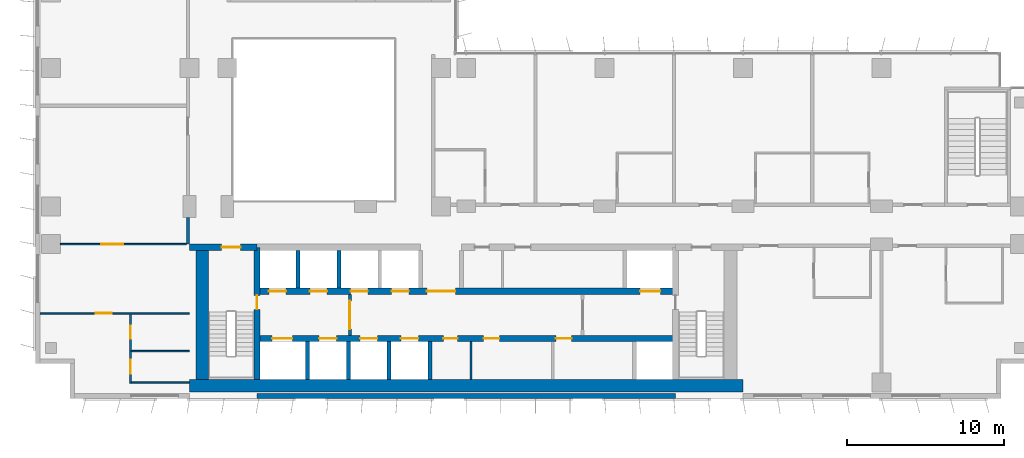
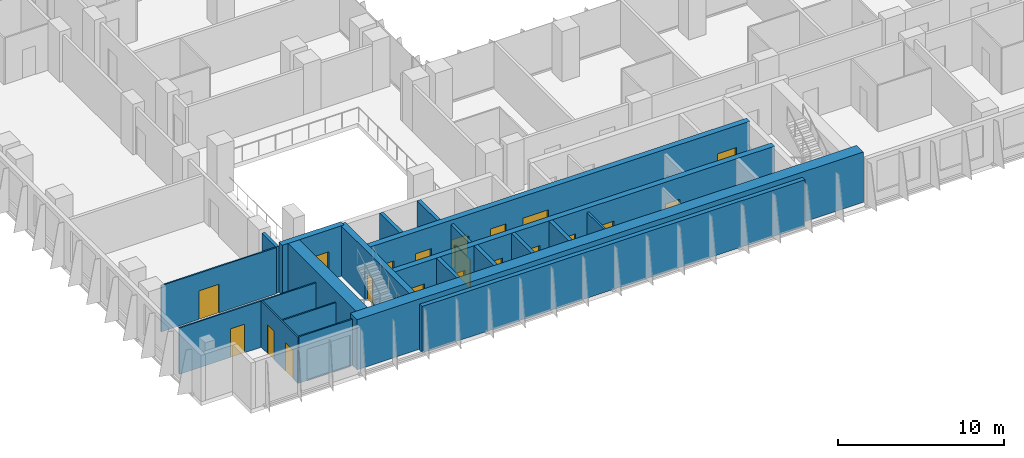
# One storey, part 12 of 22: 21 walls, 20 doors, 20 openings.
"""IFC4 building model written with IfcOpenShell, lengths in metres."""

from ifc_helpers import new_model, si_unit, direction, frame, frame_2d, origin, place, context, subcontext, project, spatial, rectangle, extrude, material, layer, layer_set, type_object, element, fill, save


model = new_model("IFC4")

# Units and contexts
model_context = context("Model", 3, precision=1e-05, world=origin(), true_north=direction((0.0, 1.0)))
body_context = subcontext(model_context, "Body", "Model", "MODEL_VIEW")
ifc_project = project(units=[si_unit("LENGTHUNIT", "METRE"), si_unit("AREAUNIT", "SQUARE_METRE"), si_unit("VOLUMEUNIT", "CUBIC_METRE"), si_unit("PLANEANGLEUNIT", "RADIAN"), si_unit("MASSUNIT", "GRAM", prefix="KILO")], contexts=[model_context])

# Site, building, storey
site_placement = place(None, origin())
site = spatial("IfcSite", under=ifc_project, at=site_placement, CompositionType="ELEMENT")
building_placement = place(site_placement, origin())
building = spatial("IfcBuilding", under=site, at=building_placement, Name="Kemantara Hotel Tower", CompositionType="ELEMENT")
storey_placement = place(building_placement, frame((0.0, 0.0, 125.89990234375)))
storey = spatial("IfcBuildingStorey", under=building, at=storey_placement, Name="L30", CompositionType="ELEMENT", Elevation=125.89990234375)

# Walls
ifc_material_1 = material(Name="Bronze anodised aluminium cladding on insulated steel stud wall", Category="steel")
ifc_layer_1 = layer(ifc_material_1, 0.300048828125)
ifc_layer_set_1 = layer_set([ifc_layer_1], Name="Bronze anodised aluminium cladding on insulated steel stud wall")
wall_type_1 = type_object("IfcWallType", Name="BRONZE METAL-CLAD EXTERNAL WALL 300", PredefinedType="STANDARD", material=ifc_layer_set_1)
wall_1_placement = place(storey_placement, frame((14.10009765625, 0.14990234375, 0.0), z_axis=(0.0, 0.0, 1.0), x_axis=(1.0, 0.0, 0.0)))
element("IfcWall", 1, at=wall_1_placement, inside=storey, type_object=wall_type_1, Name="EXTERNAL WALL L30 T2-R07-2", PredefinedType="STANDARD", context=body_context, shape_type="SweptSolid", body=[
    extrude(rectangle(XDim=26.599853515625, YDim=0.300048828125, at=frame_2d((13.2998046875, 0.0))), origin(), (0.0, 0.0, 1.0), 3.400146484375),
])
ifc_material_2 = material(Name="Concrete fc 70 MPa", Category="concrete")
ifc_layer_2 = layer(ifc_material_2, 0.25)
ifc_layer_set_2 = layer_set([ifc_layer_2], Name="Concrete fc 70 MPa")
wall_type_2 = type_object("IfcWallType", Name="CORE WALL 250 FC70", PredefinedType="SHEAR", material=ifc_layer_set_2)
for number, where, z_axis, x_axis, name in (
    (2, (17.300048828125, 1.199951171875, 0.0), (0.0, 0.0, 1.0), (0.0, 1.0, 0.0), "CORE WALL CW-DS17.3"),
    (3, (19.89990234375, 1.199951171875, 0.0), (0.0, 0.0, 1.0), (0.0, 1.0, 0.0), "CORE WALL CW-DS19.9"),
    (4, (22.5, 1.199951171875, 0.0), (0.0, 0.0, 1.0), (0.0, 1.0, 0.0), "CORE WALL CW-DS22.5"),
    (5, (25.10009765625, 1.199951171875, 0.0), (0.0, 0.0, 1.0), (0.0, 1.0, 0.0), "CORE WALL CW-DS25.1"),
):
    element("IfcWall", number, at=place(storey_placement, frame(where, z_axis=z_axis, x_axis=x_axis)), inside=storey, type_object=wall_type_2, Name=name, PredefinedType="SHEAR", context=body_context, shape_type="SweptSolid", body=[
        extrude(rectangle(XDim=2.400146484375, YDim=0.25, at=frame_2d((1.2001953125, 0.0))), origin(), (0.0, 0.0, 1.0), 3.7001953125),
    ])
for number, where, z_axis, x_axis, name in (
    (6, (16.699951171875, 7.0, 0.0), (0.0, 0.0, 1.0), (0.0, 1.0, 0.0), "CORE WALL CW-DN16.7"),
    (7, (19.300048828125, 7.0, 0.0), (0.0, 0.0, 1.0), (0.0, 1.0, 0.0), "CORE WALL CW-DN19.3"),
):
    element("IfcWall", number, at=place(storey_placement, frame(where, z_axis=z_axis, x_axis=x_axis)), inside=storey, type_object=wall_type_2, Name=name, PredefinedType="SHEAR", context=body_context, shape_type="SweptSolid", body=[
        extrude(rectangle(XDim=2.39990234375, YDim=0.25, at=frame_2d((1.199951171875, 0.0))), origin(), (0.0, 0.0, 1.0), 3.7001953125),
    ])

# Wall, opening, door
ifc_layer_3 = layer(ifc_material_2, 0.39990234375)
ifc_layer_set_3 = layer_set([ifc_layer_3], Name="Concrete fc 70 MPa")
wall_type_3 = type_object("IfcWallType", Name="CORE WALL 400 FC70", PredefinedType="SHEAR", material=ifc_layer_set_3)
wall_2_placement = place(storey_placement, frame((9.800048828125, 9.60009765625, 0.0), z_axis=(0.0, 0.0, 1.0), x_axis=(1.0, 0.0, 0.0)))
wall_2 = element("IfcWall", 8, at=wall_2_placement, inside=storey, type_object=wall_type_3, Name="CORE WALL CW-N1", PredefinedType="SHEAR", context=body_context, shape_type="SweptSolid", body=[
    extrude(rectangle(XDim=4.300048828125, YDim=0.39990234375, at=frame_2d((2.14990234375, 0.0))), origin(), (0.0, 0.0, 1.0), 3.7001953125),
])
opening_1_placement = place(wall_2_placement, frame((2.050048828125, 0.0, 0.0)))
opening_1 = element("IfcOpeningElement", 9, at=opening_1_placement, cuts=wall_2, Name="Opening C20-ST1-C", PredefinedType="OPENING", context=body_context, shape_type="SweptSolid", body=[
    extrude(rectangle(XDim=1.199951171875, YDim=2.10009765625, at=frame_2d((0.60009765625, 1.050048828125))), frame((0.0, 0.2099609375, 0.0), z_axis=(0.0, -1.0, 0.0), x_axis=(1.0, 0.0, 0.0)), (0.0, 0.0, 1.0), 0.419921875),
])
ifc_material_3 = material(Name="Steel fire door", Category="steel")
door_type_1 = type_object("IfcDoorType", Name="Fire door FD90 1200 x 2100", OperationType="NOTDEFINED", PredefinedType="DOOR", material=ifc_material_3)
door_1_placement = place(opening_1_placement, frame((1.199951171875, 0.0, 0.0), z_axis=(0.0, 0.0, 1.0), x_axis=(-1.0, 0.0, 0.0)))
door_1 = element("IfcDoor", 10, at=door_1_placement, inside=storey, type_object=door_type_1, Name="Stair ST1 door to corridor", OperationType="SINGLE_SWING_LEFT", OverallHeight=2.10009765625, OverallWidth=1.199951171875, PredefinedType="DOOR", context=body_context, shape_type="SweptSolid", body=[
    extrude(rectangle(XDim=1.199951171875, YDim=2.10009765625, at=frame_2d((0.60009765625, 1.050048828125))), frame((0.0, 0.02490234375, 0.0), z_axis=(0.0, -1.0, 0.0), x_axis=(1.0, 0.0, 0.0)), (0.0, 0.0, 1.0), 0.050048828125),
])
fill(opening_1, door_1)

# Wall, openings, doors
wall_3_placement = place(storey_placement, frame((14.10009765625, 3.800048828125, 0.0), z_axis=(0.0, 0.0, 1.0), x_axis=(1.0, 0.0, 0.0)))
wall_3 = element("IfcWall", 11, at=wall_3_placement, inside=storey, type_object=wall_type_3, Name="CORE WALL CW-L1", PredefinedType="SHEAR", context=body_context, shape_type="SweptSolid", body=[
    extrude(rectangle(XDim=26.599853515625, YDim=0.39990234375, at=frame_2d((13.2998046875, 0.0))), origin(), (0.0, 0.0, 1.0), 3.7001953125),
])
opening_2_placement = place(wall_3_placement, frame((0.949951171875, 0.0, 0.0)))
opening_2 = element("IfcOpeningElement", 12, at=opening_2_placement, cuts=wall_3, Name="Opening C20-LD-FF1", PredefinedType="OPENING", context=body_context, shape_type="SweptSolid", body=[
    extrude(rectangle(XDim=1.300048828125, YDim=2.10009765625, at=frame_2d((0.64990234375, 1.050048828125))), frame((0.0, 0.2099609375, 0.0), z_axis=(0.0, -1.0, 0.0), x_axis=(1.0, 0.0, 0.0)), (0.0, 0.0, 1.0), 0.419921875),
])
opening_3_placement = place(wall_3_placement, frame((3.949951171875, 0.0, 0.0)))
opening_3 = element("IfcOpeningElement", 13, at=opening_3_placement, cuts=wall_3, Name="Opening C20-LD-SV1", PredefinedType="OPENING", context=body_context, shape_type="SweptSolid", body=[
    extrude(rectangle(XDim=1.10009765625, YDim=2.10009765625, at=frame_2d((0.550048828125, 1.050048828125))), frame((0.0, 0.2099609375, 0.0), z_axis=(0.0, -1.0, 0.0), x_axis=(1.0, 0.0, 0.0)), (0.0, 0.0, 1.0), 0.419921875),
])
opening_4_placement = place(wall_3_placement, frame((6.550048828125, 0.0, 0.0)))
opening_4 = element("IfcOpeningElement", 14, at=opening_4_placement, cuts=wall_3, Name="Opening C20-LD-SV2", PredefinedType="OPENING", context=body_context, shape_type="SweptSolid", body=[
    extrude(rectangle(XDim=1.10009765625, YDim=2.10009765625, at=frame_2d((0.550048828125, 1.050048828125))), frame((0.0, 0.2099609375, 0.0), z_axis=(0.0, -1.0, 0.0), x_axis=(1.0, 0.0, 0.0)), (0.0, 0.0, 1.0), 0.419921875),
])
opening_5_placement = place(wall_3_placement, frame((9.14990234375, 0.0, 0.0)))
opening_5 = element("IfcOpeningElement", 15, at=opening_5_placement, cuts=wall_3, Name="Opening C20-LD-SV3", PredefinedType="OPENING", context=body_context, shape_type="SweptSolid", body=[
    extrude(rectangle(XDim=1.10009765625, YDim=2.10009765625, at=frame_2d((0.550048828125, 1.050048828125))), frame((0.0, 0.2099609375, 0.0), z_axis=(0.0, -1.0, 0.0), x_axis=(1.0, 0.0, 0.0)), (0.0, 0.0, 1.0), 0.419921875),
])
opening_6_placement = place(wall_3_placement, frame((11.85009765625, 0.0, 0.0)))
opening_6 = element("IfcOpeningElement", 16, at=opening_6_placement, cuts=wall_3, Name="Opening C20-R-SM1", PredefinedType="OPENING", context=body_context, shape_type="SweptSolid", body=[
    extrude(rectangle(XDim=0.89990234375, YDim=2.10009765625, at=frame_2d((0.449951171875, 1.050048828125))), frame((0.0, 0.2099609375, 0.0), z_axis=(0.0, -1.0, 0.0), x_axis=(1.0, 0.0, 0.0)), (0.0, 0.0, 1.0), 0.419921875),
])
opening_7_placement = place(wall_3_placement, frame((14.39990234375, 0.0, 0.0)))
opening_7 = element("IfcOpeningElement", 17, at=opening_7_placement, cuts=wall_3, Name="Opening C20-R-SM2", PredefinedType="OPENING", context=body_context, shape_type="SweptSolid", body=[
    extrude(rectangle(XDim=1.0, YDim=2.10009765625, at=frame_2d((0.5, 1.050048828125))), frame((0.0, 0.2099609375, 0.0), z_axis=(0.0, -1.0, 0.0), x_axis=(1.0, 0.0, 0.0)), (0.0, 0.0, 1.0), 0.419921875),
])
opening_8_placement = place(wall_3_placement, frame((19.0, 0.0, 0.0)))
opening_8 = element("IfcOpeningElement", 18, at=opening_8_placement, cuts=wall_3, Name="Opening C20-R-SM3", PredefinedType="OPENING", context=body_context, shape_type="SweptSolid", body=[
    extrude(rectangle(XDim=1.0, YDim=2.10009765625, at=frame_2d((0.5, 1.050048828125))), frame((0.0, 0.2099609375, 0.0), z_axis=(0.0, -1.0, 0.0), x_axis=(1.0, 0.0, 0.0)), (0.0, 0.0, 1.0), 0.419921875),
])
door_type_2 = type_object("IfcDoorType", Name="Fire door FD30S 1000 x 2100", OperationType="NOTDEFINED", PredefinedType="DOOR", material=ifc_material_3)
door_2_placement = place(opening_7_placement, frame((1.0, 0.0, 0.0), z_axis=(0.0, 0.0, 1.0), x_axis=(-1.0, 0.0, 0.0)))
door_2 = element("IfcDoor", 19, at=door_2_placement, inside=storey, type_object=door_type_2, Name="Luggage Store door", OperationType="SINGLE_SWING_LEFT", OverallHeight=2.10009765625, OverallWidth=1.0, PredefinedType="DOOR", context=body_context, shape_type="SweptSolid", body=[
    extrude(rectangle(XDim=1.0, YDim=2.10009765625, at=frame_2d((0.5, 1.050048828125))), frame((0.0, 0.02490234375, 0.0), z_axis=(0.0, -1.0, 0.0), x_axis=(1.0, 0.0, 0.0)), (0.0, 0.0, 1.0), 0.050048828125),
])
fill(opening_7, door_2)
door_3_placement = place(opening_8_placement, frame((1.0, 0.0, 0.0), z_axis=(0.0, 0.0, 1.0), x_axis=(-1.0, 0.0, 0.0)))
door_3 = element("IfcDoor", 20, at=door_3_placement, inside=storey, type_object=door_type_2, Name="Ice And Vending Room door", OperationType="SINGLE_SWING_LEFT", OverallHeight=2.10009765625, OverallWidth=1.0, PredefinedType="DOOR", context=body_context, shape_type="SweptSolid", body=[
    extrude(rectangle(XDim=1.0, YDim=2.10009765625, at=frame_2d((0.5, 1.050048828125))), frame((0.0, 0.02490234375, 0.0), z_axis=(0.0, -1.0, 0.0), x_axis=(1.0, 0.0, 0.0)), (0.0, 0.0, 1.0), 0.050048828125),
])
fill(opening_8, door_3)
door_type_3 = type_object("IfcDoorType", Name="Fire door FD60 900 x 2100", OperationType="NOTDEFINED", PredefinedType="DOOR", material=ifc_material_3)
door_4_placement = place(opening_6_placement, frame((0.89990234375, 0.0, 0.0), z_axis=(0.0, 0.0, 1.0), x_axis=(-1.0, 0.0, 0.0)))
door_4 = element("IfcDoor", 21, at=door_4_placement, inside=storey, type_object=door_type_3, Name="Electrical Riser Room door", OperationType="SINGLE_SWING_RIGHT", OverallHeight=2.10009765625, OverallWidth=0.89990234375, PredefinedType="DOOR", context=body_context, shape_type="SweptSolid", body=[
    extrude(rectangle(XDim=0.89990234375, YDim=2.10009765625, at=frame_2d((0.449951171875, 1.050048828125))), frame((0.0, 0.02490234375, 0.0), z_axis=(0.0, -1.0, 0.0), x_axis=(1.0, 0.0, 0.0)), (0.0, 0.0, 1.0), 0.050048828125),
])
fill(opening_6, door_4)
ifc_material_4 = material(Name="Stainless steel lift door", Category="steel")
door_type_4 = type_object("IfcDoorType", Name="Lift landing door 1100 x 2100 FD60", OperationType="DOUBLE_DOOR_SLIDING", PredefinedType="DOOR", material=ifc_material_4)
door_5_placement = place(opening_3_placement, origin())
door_5 = element("IfcDoor", 22, at=door_5_placement, inside=storey, type_object=door_type_4, Name="Lift SV1 landing door", OperationType="DOUBLE_DOOR_SLIDING", OverallHeight=2.10009765625, OverallWidth=1.10009765625, PredefinedType="DOOR", context=body_context, shape_type="SweptSolid", body=[
    extrude(rectangle(XDim=1.10009765625, YDim=2.10009765625, at=frame_2d((0.550048828125, 1.050048828125))), frame((0.0, 0.02490234375, 0.0), z_axis=(0.0, -1.0, 0.0), x_axis=(1.0, 0.0, 0.0)), (0.0, 0.0, 1.0), 0.050048828125),
])
fill(opening_3, door_5)
door_6_placement = place(opening_4_placement, origin())
door_6 = element("IfcDoor", 23, at=door_6_placement, inside=storey, type_object=door_type_4, Name="Lift SV2 landing door", OperationType="DOUBLE_DOOR_SLIDING", OverallHeight=2.10009765625, OverallWidth=1.10009765625, PredefinedType="DOOR", context=body_context, shape_type="SweptSolid", body=[
    extrude(rectangle(XDim=1.10009765625, YDim=2.10009765625, at=frame_2d((0.550048828125, 1.050048828125))), frame((0.0, 0.02490234375, 0.0), z_axis=(0.0, -1.0, 0.0), x_axis=(1.0, 0.0, 0.0)), (0.0, 0.0, 1.0), 0.050048828125),
])
fill(opening_4, door_6)
door_7_placement = place(opening_5_placement, origin())
door_7 = element("IfcDoor", 24, at=door_7_placement, inside=storey, type_object=door_type_4, Name="Lift SV3 landing door", OperationType="DOUBLE_DOOR_SLIDING", OverallHeight=2.10009765625, OverallWidth=1.10009765625, PredefinedType="DOOR", context=body_context, shape_type="SweptSolid", body=[
    extrude(rectangle(XDim=1.10009765625, YDim=2.10009765625, at=frame_2d((0.550048828125, 1.050048828125))), frame((0.0, 0.02490234375, 0.0), z_axis=(0.0, -1.0, 0.0), x_axis=(1.0, 0.0, 0.0)), (0.0, 0.0, 1.0), 0.050048828125),
])
fill(opening_5, door_7)
door_type_5 = type_object("IfcDoorType", Name="Lift landing door 1300 x 2100 FD90", OperationType="DOUBLE_DOOR_SLIDING", PredefinedType="DOOR", material=ifc_material_4)
door_8_placement = place(opening_2_placement, origin())
door_8 = element("IfcDoor", 25, at=door_8_placement, inside=storey, type_object=door_type_5, Name="Lift FF1 landing door", OperationType="DOUBLE_DOOR_SLIDING", OverallHeight=2.10009765625, OverallWidth=1.300048828125, PredefinedType="DOOR", context=body_context, shape_type="SweptSolid", body=[
    extrude(rectangle(XDim=1.300048828125, YDim=2.10009765625, at=frame_2d((0.64990234375, 1.050048828125))), frame((0.0, 0.02490234375, 0.0), z_axis=(0.0, -1.0, 0.0), x_axis=(1.0, 0.0, 0.0)), (0.0, 0.0, 1.0), 0.050048828125),
])
fill(opening_2, door_8)

wall_4_placement = place(storey_placement, frame((14.10009765625, 6.800048828125, 0.0), z_axis=(0.0, 0.0, 1.0), x_axis=(1.0, 0.0, 0.0)))
wall_4 = element("IfcWall", 26, at=wall_4_placement, inside=storey, type_object=wall_type_3, Name="CORE WALL CW-L2", PredefinedType="SHEAR", context=body_context, shape_type="SweptSolid", body=[
    extrude(rectangle(XDim=26.599853515625, YDim=0.39990234375, at=frame_2d((13.2998046875, 0.0))), origin(), (0.0, 0.0, 1.0), 3.7001953125),
])
opening_9_placement = place(wall_4_placement, frame((10.800048828125, 0.0, 0.0)))
opening_9 = element("IfcOpeningElement", 27, at=opening_9_placement, cuts=wall_4, Name="Opening C20-VL", PredefinedType="OPENING", context=body_context, shape_type="SweptSolid", body=[
    extrude(rectangle(XDim=1.800048828125, YDim=2.10009765625, at=frame_2d((0.89990234375, 1.050048828125))), frame((0.0, 0.2099609375, 0.0), z_axis=(0.0, -1.0, 0.0), x_axis=(1.0, 0.0, 0.0)), (0.0, 0.0, 1.0), 0.419921875),
])
opening_10_placement = place(wall_4_placement, frame((0.75, 0.0, 0.0)))
opening_10 = element("IfcOpeningElement", 28, at=opening_10_placement, cuts=wall_4, Name="Opening C20-LD-MR1", PredefinedType="OPENING", context=body_context, shape_type="SweptSolid", body=[
    extrude(rectangle(XDim=1.10009765625, YDim=2.10009765625, at=frame_2d((0.550048828125, 1.050048828125))), frame((0.0, 0.2099609375, 0.0), z_axis=(0.0, -1.0, 0.0), x_axis=(1.0, 0.0, 0.0)), (0.0, 0.0, 1.0), 0.419921875),
])
opening_11_placement = place(wall_4_placement, frame((3.35009765625, 0.0, 0.0)))
opening_11 = element("IfcOpeningElement", 29, at=opening_11_placement, cuts=wall_4, Name="Opening C20-LD-MR2", PredefinedType="OPENING", context=body_context, shape_type="SweptSolid", body=[
    extrude(rectangle(XDim=1.10009765625, YDim=2.10009765625, at=frame_2d((0.550048828125, 1.050048828125))), frame((0.0, 0.2099609375, 0.0), z_axis=(0.0, -1.0, 0.0), x_axis=(1.0, 0.0, 0.0)), (0.0, 0.0, 1.0), 0.419921875),
])
opening_12_placement = place(wall_4_placement, frame((5.949951171875, 0.0, 0.0)))
opening_12 = element("IfcOpeningElement", 30, at=opening_12_placement, cuts=wall_4, Name="Opening C20-LD-MR3", PredefinedType="OPENING", context=body_context, shape_type="SweptSolid", body=[
    extrude(rectangle(XDim=1.10009765625, YDim=2.10009765625, at=frame_2d((0.550048828125, 1.050048828125))), frame((0.0, 0.2099609375, 0.0), z_axis=(0.0, -1.0, 0.0), x_axis=(1.0, 0.0, 0.0)), (0.0, 0.0, 1.0), 0.419921875),
])
opening_13_placement = place(wall_4_placement, frame((8.550048828125, 0.0, 0.0)))
opening_13 = element("IfcOpeningElement", 31, at=opening_13_placement, cuts=wall_4, Name="Opening C20-LD-MR4", PredefinedType="OPENING", context=body_context, shape_type="SweptSolid", body=[
    extrude(rectangle(XDim=1.10009765625, YDim=2.10009765625, at=frame_2d((0.550048828125, 1.050048828125))), frame((0.0, 0.2099609375, 0.0), z_axis=(0.0, -1.0, 0.0), x_axis=(1.0, 0.0, 0.0)), (0.0, 0.0, 1.0), 0.419921875),
])
opening_14_placement = place(wall_4_placement, frame((24.35009765625, 0.0, 0.0)))
opening_14 = element("IfcOpeningElement", 32, at=opening_14_placement, cuts=wall_4, Name="Opening C20-LD-FF2", PredefinedType="OPENING", context=body_context, shape_type="SweptSolid", body=[
    extrude(rectangle(XDim=1.300048828125, YDim=2.10009765625, at=frame_2d((0.64990234375, 1.050048828125))), frame((0.0, 0.2099609375, 0.0), z_axis=(0.0, -1.0, 0.0), x_axis=(1.0, 0.0, 0.0)), (0.0, 0.0, 1.0), 0.419921875),
])
door_type_6 = type_object("IfcDoorType", Name="Fire door pair FD60 1800 x 2100", OperationType="DOUBLE_DOOR_SINGLE_SWING", PredefinedType="DOOR", material=ifc_material_3)
door_9_placement = place(opening_9_placement, frame((1.800048828125, 0.0, 0.0), z_axis=(0.0, 0.0, 1.0), x_axis=(-1.0, 0.0, 0.0)))
door_9 = element("IfcDoor", 33, at=door_9_placement, inside=storey, type_object=door_type_6, Name="Lift lobby entry door", OperationType="DOUBLE_DOOR_SINGLE_SWING", OverallHeight=2.10009765625, OverallWidth=1.800048828125, PredefinedType="DOOR", context=body_context, shape_type="SweptSolid", body=[
    extrude(rectangle(XDim=1.800048828125, YDim=2.10009765625, at=frame_2d((0.89990234375, 1.050048828125))), frame((0.0, 0.02490234375, 0.0), z_axis=(0.0, -1.0, 0.0), x_axis=(1.0, 0.0, 0.0)), (0.0, 0.0, 1.0), 0.050048828125),
])
fill(opening_9, door_9)
door_10_placement = place(opening_10_placement, origin())
door_10 = element("IfcDoor", 34, at=door_10_placement, inside=storey, type_object=door_type_4, Name="Lift MR1 landing door", OperationType="DOUBLE_DOOR_SLIDING", OverallHeight=2.10009765625, OverallWidth=1.10009765625, PredefinedType="DOOR", context=body_context, shape_type="SweptSolid", body=[
    extrude(rectangle(XDim=1.10009765625, YDim=2.10009765625, at=frame_2d((0.550048828125, 1.050048828125))), frame((0.0, 0.02490234375, 0.0), z_axis=(0.0, -1.0, 0.0), x_axis=(1.0, 0.0, 0.0)), (0.0, 0.0, 1.0), 0.050048828125),
])
fill(opening_10, door_10)
door_11_placement = place(opening_11_placement, origin())
door_11 = element("IfcDoor", 35, at=door_11_placement, inside=storey, type_object=door_type_4, Name="Lift MR2 landing door", OperationType="DOUBLE_DOOR_SLIDING", OverallHeight=2.10009765625, OverallWidth=1.10009765625, PredefinedType="DOOR", context=body_context, shape_type="SweptSolid", body=[
    extrude(rectangle(XDim=1.10009765625, YDim=2.10009765625, at=frame_2d((0.550048828125, 1.050048828125))), frame((0.0, 0.02490234375, 0.0), z_axis=(0.0, -1.0, 0.0), x_axis=(1.0, 0.0, 0.0)), (0.0, 0.0, 1.0), 0.050048828125),
])
fill(opening_11, door_11)
door_12_placement = place(opening_12_placement, origin())
door_12 = element("IfcDoor", 36, at=door_12_placement, inside=storey, type_object=door_type_4, Name="Lift MR3 landing door", OperationType="DOUBLE_DOOR_SLIDING", OverallHeight=2.10009765625, OverallWidth=1.10009765625, PredefinedType="DOOR", context=body_context, shape_type="SweptSolid", body=[
    extrude(rectangle(XDim=1.10009765625, YDim=2.10009765625, at=frame_2d((0.550048828125, 1.050048828125))), frame((0.0, 0.02490234375, 0.0), z_axis=(0.0, -1.0, 0.0), x_axis=(1.0, 0.0, 0.0)), (0.0, 0.0, 1.0), 0.050048828125),
])
fill(opening_12, door_12)
door_13_placement = place(opening_13_placement, origin())
door_13 = element("IfcDoor", 37, at=door_13_placement, inside=storey, type_object=door_type_4, Name="Lift MR4 landing door", OperationType="DOUBLE_DOOR_SLIDING", OverallHeight=2.10009765625, OverallWidth=1.10009765625, PredefinedType="DOOR", context=body_context, shape_type="SweptSolid", body=[
    extrude(rectangle(XDim=1.10009765625, YDim=2.10009765625, at=frame_2d((0.550048828125, 1.050048828125))), frame((0.0, 0.02490234375, 0.0), z_axis=(0.0, -1.0, 0.0), x_axis=(1.0, 0.0, 0.0)), (0.0, 0.0, 1.0), 0.050048828125),
])
fill(opening_13, door_13)
door_14_placement = place(opening_14_placement, origin())
door_14 = element("IfcDoor", 38, at=door_14_placement, inside=storey, type_object=door_type_5, Name="Lift FF2 landing door", OperationType="DOUBLE_DOOR_SLIDING", OverallHeight=2.10009765625, OverallWidth=1.300048828125, PredefinedType="DOOR", context=body_context, shape_type="SweptSolid", body=[
    extrude(rectangle(XDim=1.300048828125, YDim=2.10009765625, at=frame_2d((0.64990234375, 1.050048828125))), frame((0.0, 0.02490234375, 0.0), z_axis=(0.0, -1.0, 0.0), x_axis=(1.0, 0.0, 0.0)), (0.0, 0.0, 1.0), 0.050048828125),
])
fill(opening_14, door_14)

# Wall, opening, door
wall_5_placement = place(storey_placement, frame((14.10009765625, 1.199951171875, 0.0), z_axis=(0.0, 0.0, 1.0), x_axis=(0.0, 1.0, 0.0)))
wall_5 = element("IfcWall", 39, at=wall_5_placement, inside=storey, type_object=wall_type_3, Name="CORE WALL CW-ST1E", PredefinedType="SHEAR", context=body_context, shape_type="SweptSolid", body=[
    extrude(rectangle(XDim=8.400146484375, YDim=0.39990234375, at=frame_2d((4.2001953125, 0.0))), origin(), (0.0, 0.0, 1.0), 3.7001953125),
])
opening_15_placement = place(wall_5_placement, frame((4.449951171875, 0.0, 0.0)))
opening_15 = element("IfcOpeningElement", 40, at=opening_15_placement, cuts=wall_5, Name="Opening C20-ST1-F", PredefinedType="OPENING", context=body_context, shape_type="SweptSolid", body=[
    extrude(rectangle(XDim=0.89990234375, YDim=2.10009765625, at=frame_2d((0.449951171875, 1.050048828125))), frame((0.0, 0.2099609375, 0.0), z_axis=(0.0, -1.0, 0.0), x_axis=(1.0, 0.0, 0.0)), (0.0, 0.0, 1.0), 0.419921875),
])
door_type_7 = type_object("IfcDoorType", Name="Fire door FD90 900 x 2100", OperationType="NOTDEFINED", PredefinedType="DOOR", material=ifc_material_3)
door_15_placement = place(opening_15_placement, origin())
door_15 = element("IfcDoor", 41, at=door_15_placement, inside=storey, type_object=door_type_7, Name="Stair ST1 door to firefighting lobby", OperationType="SINGLE_SWING_RIGHT", OverallHeight=2.10009765625, OverallWidth=0.89990234375, PredefinedType="DOOR", context=body_context, shape_type="SweptSolid", body=[
    extrude(rectangle(XDim=0.89990234375, YDim=2.10009765625, at=frame_2d((0.449951171875, 1.050048828125))), frame((0.0, 0.02490234375, 0.0), z_axis=(0.0, -1.0, 0.0), x_axis=(1.0, 0.0, 0.0)), (0.0, 0.0, 1.0), 0.050048828125),
])
fill(opening_15, door_15)

# Walls
ifc_layer_4 = layer(ifc_material_2, 0.800048828125)
ifc_layer_set_4 = layer_set([ifc_layer_4], Name="Concrete fc 70 MPa")
wall_type_4 = type_object("IfcWallType", Name="CORE WALL 800 FC70", PredefinedType="SHEAR", material=ifc_layer_set_4)
wall_6_placement = place(storey_placement, frame((9.800048828125, 0.800048828125, 0.0), z_axis=(0.0, 0.0, 1.0), x_axis=(1.0, 0.0, 0.0)))
element("IfcWall", 42, at=wall_6_placement, inside=storey, type_object=wall_type_4, Name="CORE WALL CW-S", PredefinedType="SHEAR", context=body_context, shape_type="SweptSolid", body=[
    extrude(rectangle(XDim=35.199951171875, YDim=0.800048828125, at=frame_2d((17.60009765625, 0.0))), origin(), (0.0, 0.0, 1.0), 3.7001953125),
])
wall_7_placement = place(storey_placement, frame((10.60009765625, 1.199951171875, 0.0), z_axis=(0.0, 0.0, 1.0), x_axis=(0.0, 1.0, 0.0)))
element("IfcWall", 43, at=wall_7_placement, inside=storey, type_object=wall_type_4, Name="CORE WALL CW-W", PredefinedType="SHEAR", context=body_context, shape_type="SweptSolid", body=[
    extrude(rectangle(XDim=8.60009765625, YDim=0.800048828125, at=frame_2d((4.300048828125, 0.0))), origin(), (0.0, 0.0, 1.0), 3.7001953125),
])
ifc_material_5 = material(Name="Gypsum board partition, steel studs and mineral wool, 200 mm", Category="steel")
ifc_layer_5 = layer(ifc_material_5, 0.199951171875)
ifc_layer_set_5 = layer_set([ifc_layer_5], Name="Gypsum board partition, steel studs and mineral wool, 200 mm")
wall_type_5 = type_object("IfcWallType", Name="CORRIDOR WALL 200", PredefinedType="PARTITIONING", material=ifc_layer_set_5)
wall_8_placement = place(storey_placement, frame((9.699951171875, 9.800048828125, 0.0), z_axis=(0.0, 0.0, 1.0), x_axis=(0.0, 1.0, 0.0)))
element("IfcWall", 44, at=wall_8_placement, inside=storey, type_object=wall_type_5, Name="CORRIDOR WALL 200 014", PredefinedType="PARTITIONING", context=body_context, shape_type="SweptSolid", body=[
    extrude(rectangle(XDim=1.699951171875, YDim=0.199951171875, at=frame_2d((0.85009765625, 0.0))), origin(), (0.0, 0.0, 1.0), 3.400146484375),
])
ifc_material_6 = material(Name="Gypsum board partition")
ifc_layer_6 = layer(ifc_material_6, 0.14990234375)
ifc_layer_set_6 = layer_set([ifc_layer_6], Name="Gypsum board partition")
wall_type_6 = type_object("IfcWallType", Name="Gypsum board partition 150 mm", PredefinedType="PARTITIONING", material=ifc_layer_set_6)
wall_9_placement = place(storey_placement, frame((27.699951171875, 1.199951171875, 0.0), z_axis=(0.0, 0.0, 1.0), x_axis=(0.0, 1.0, 0.0)))
element("IfcWall", 45, at=wall_9_placement, inside=storey, type_object=wall_type_6, Name="Core room partition", PredefinedType="PARTITIONING", context=body_context, shape_type="SweptSolid", body=[
    extrude(rectangle(XDim=2.400146484375, YDim=0.14990234375, at=frame_2d((1.2001953125, 0.0))), origin(), (0.0, 0.0, 1.0), 3.400146484375),
])

# Wall, opening, door
ifc_material_7 = material(Name="Gypsum board shaft wall")
ifc_layer_7 = layer(ifc_material_7, 0.199951171875)
ifc_layer_set_7 = layer_set([ifc_layer_7], Name="Gypsum board shaft wall")
wall_type_7 = type_object("IfcWallType", Name="Gypsum board shaft wall 200 mm", PredefinedType="PARTITIONING", material=ifc_layer_set_7)
wall_10_placement = place(storey_placement, frame((20.0, 4.0, 0.0), z_axis=(0.0, 0.0, 1.0), x_axis=(0.0, 1.0, 0.0)))
wall_10 = element("IfcWall", 46, at=wall_10_placement, inside=storey, type_object=wall_type_7, Name="Firefighting lobby partition west", PredefinedType="PARTITIONING", context=body_context, shape_type="SweptSolid", body=[
    extrude(rectangle(XDim=2.60009765625, YDim=0.199951171875, at=frame_2d((1.300048828125, 0.0))), origin(), (0.0, 0.0, 1.0), 3.400146484375),
])
opening_16_placement = place(wall_10_placement, frame((0.39990234375, 0.0, 0.0)))
opening_16 = element("IfcOpeningElement", 47, at=opening_16_placement, cuts=wall_10, Name="Opening C20-FFW", PredefinedType="OPENING", context=body_context, shape_type="SweptSolid", body=[
    extrude(rectangle(XDim=1.800048828125, YDim=2.10009765625, at=frame_2d((0.89990234375, 1.050048828125))), frame((0.0, 0.10986328125, 0.0), z_axis=(0.0, -1.0, 0.0), x_axis=(1.0, 0.0, 0.0)), (0.0, 0.0, 1.0), 0.219970703125),
])
door_16_placement = place(opening_16_placement, origin())
door_16 = element("IfcDoor", 48, at=door_16_placement, inside=storey, type_object=door_type_6, Name="Firefighting lobby door west", OperationType="DOUBLE_DOOR_SINGLE_SWING", OverallHeight=2.10009765625, OverallWidth=1.800048828125, PredefinedType="DOOR", context=body_context, shape_type="SweptSolid", body=[
    extrude(rectangle(XDim=1.800048828125, YDim=2.10009765625, at=frame_2d((0.89990234375, 1.050048828125))), frame((0.0, 0.02490234375, 0.0), z_axis=(0.0, -1.0, 0.0), x_axis=(1.0, 0.0, 0.0)), (0.0, 0.0, 1.0), 0.050048828125),
])
fill(opening_16, door_16)

# Wall, openings, doors
ifc_material_8 = material(Name="Gypsum board partition on steel studs, 100 mm", Category="steel")
ifc_layer_8 = layer(ifc_material_8, 0.10009765625)
ifc_layer_set_8 = layer_set([ifc_layer_8], Name="Gypsum board partition on steel studs, 100 mm")
wall_type_8 = type_object("IfcWallType", Name="ROOM PARTITION 100", PredefinedType="PARTITIONING", material=ifc_layer_set_8)
wall_11_placement = place(storey_placement, frame((6.050048828125, 5.35009765625, 0.0), z_axis=(0.0, 0.0, 1.0), x_axis=(0.0, -1.0, 0.0)))
wall_11 = element("IfcWall", 49, at=wall_11_placement, inside=storey, type_object=wall_type_8, Name="ROOM PARTITION 100 055", PredefinedType="PARTITIONING", context=body_context, shape_type="SweptSolid", body=[
    extrude(rectangle(XDim=4.400146484375, YDim=0.10009765625, at=frame_2d((2.2001953125, 0.0))), origin(), (0.0, 0.0, 1.0), 3.400146484375),
])
opening_17_placement = place(wall_11_placement, frame((2.89990234375, 0.0, 0.0)))
opening_17 = element("IfcOpeningElement", 50, at=opening_17_placement, cuts=wall_11, Name="Opening F13-016", PredefinedType="OPENING", context=body_context, shape_type="SweptSolid", body=[
    extrude(rectangle(XDim=0.89990234375, YDim=2.10009765625, at=frame_2d((0.449951171875, 1.050048828125))), frame((0.0, 0.06005859375, 0.0), z_axis=(0.0, -1.0, 0.0), x_axis=(1.0, 0.0, 0.0)), (0.0, 0.0, 1.0), 0.1201171875),
])
opening_18_placement = place(wall_11_placement, frame((0.75, 0.0, 0.0)))
opening_18 = element("IfcOpeningElement", 51, at=opening_18_placement, cuts=wall_11, Name="Opening F13-017", PredefinedType="OPENING", context=body_context, shape_type="SweptSolid", body=[
    extrude(rectangle(XDim=0.800048828125, YDim=2.10009765625, at=frame_2d((0.39990234375, 1.050048828125))), frame((0.0, 0.06005859375, 0.0), z_axis=(0.0, -1.0, 0.0), x_axis=(1.0, 0.0, 0.0)), (0.0, 0.0, 1.0), 0.1201171875),
])
ifc_material_9 = material(Name="Hardwood veneer door leaf with steel frame", Category="steel")
door_type_8 = type_object("IfcDoorType", Name="BATHROOM DOOR 900 X 2100", OperationType="NOTDEFINED", PredefinedType="DOOR", material=ifc_material_9)
door_17_placement = place(opening_17_placement, origin())
door_17 = element("IfcDoor", 52, at=door_17_placement, inside=storey, type_object=door_type_8, Name="BATHROOM DOOR F13-016", OperationType="SINGLE_SWING_LEFT", OverallHeight=2.10009765625, OverallWidth=0.89990234375, PredefinedType="DOOR", context=body_context, shape_type="SweptSolid", body=[
    extrude(rectangle(XDim=0.89990234375, YDim=2.10009765625, at=frame_2d((0.449951171875, 1.050048828125))), frame((0.0, 0.02490234375, 0.0), z_axis=(0.0, -1.0, 0.0), x_axis=(1.0, 0.0, 0.0)), (0.0, 0.0, 1.0), 0.050048828125),
])
fill(opening_17, door_17)
door_type_9 = type_object("IfcDoorType", Name="WARDROBE DOOR 800 X 2100", OperationType="NOTDEFINED", PredefinedType="DOOR", material=ifc_material_9)
door_18_placement = place(opening_18_placement, origin())
door_18 = element("IfcDoor", 53, at=door_18_placement, inside=storey, type_object=door_type_9, Name="WARDROBE DOOR F13-017", OperationType="SINGLE_SWING_LEFT", OverallHeight=2.10009765625, OverallWidth=0.800048828125, PredefinedType="DOOR", context=body_context, shape_type="SweptSolid", body=[
    extrude(rectangle(XDim=0.800048828125, YDim=2.10009765625, at=frame_2d((0.39990234375, 1.050048828125))), frame((0.0, 0.02490234375, 0.0), z_axis=(0.0, -1.0, 0.0), x_axis=(1.0, 0.0, 0.0)), (0.0, 0.0, 1.0), 0.050048828125),
])
fill(opening_18, door_18)

# Wall, opening, door
wall_12_placement = place(storey_placement, frame((9.60009765625, 9.800048828125, 0.0), z_axis=(0.0, 0.0, 1.0), x_axis=(-1.0, 0.0, 0.0)))
wall_12 = element("IfcWall", 54, at=wall_12_placement, inside=storey, type_object=wall_type_8, Name="ROOM PARTITION 100 057", PredefinedType="PARTITIONING", context=body_context, shape_type="SweptSolid", body=[
    extrude(rectangle(XDim=8.0, YDim=0.10009765625, at=frame_2d((4.0, 0.0))), origin(), (0.0, 0.0, 1.0), 3.400146484375),
])
opening_19_placement = place(wall_12_placement, frame((4.0, 0.0, 0.0)))
opening_19 = element("IfcOpeningElement", 55, at=opening_19_placement, cuts=wall_12, Name="Opening F13-014", PredefinedType="OPENING", context=body_context, shape_type="SweptSolid", body=[
    extrude(rectangle(XDim=1.39990234375, YDim=2.10009765625, at=frame_2d((0.699951171875, 1.050048828125))), frame((0.0, 0.06005859375, 0.0), z_axis=(0.0, -1.0, 0.0), x_axis=(1.0, 0.0, 0.0)), (0.0, 0.0, 1.0), 0.1201171875),
])
door_type_10 = type_object("IfcDoorType", Name="INTERNAL DOOR 1400 X 2100", OperationType="NOTDEFINED", PredefinedType="DOOR", material=ifc_material_9)
door_19_placement = place(opening_19_placement, origin())
door_19 = element("IfcDoor", 56, at=door_19_placement, inside=storey, type_object=door_type_10, Name="INTERNAL DOOR F13-014", OperationType="DOUBLE_DOOR_SINGLE_SWING", OverallHeight=2.10009765625, OverallWidth=1.39990234375, PredefinedType="DOOR", context=body_context, shape_type="SweptSolid", body=[
    extrude(rectangle(XDim=1.39990234375, YDim=2.10009765625, at=frame_2d((0.699951171875, 1.050048828125))), frame((0.0, 0.02490234375, 0.0), z_axis=(0.0, -1.0, 0.0), x_axis=(1.0, 0.0, 0.0)), (0.0, 0.0, 1.0), 0.050048828125),
])
fill(opening_19, door_19)

wall_13_placement = place(storey_placement, frame((9.7998046875, 5.39990234375, 0.0), z_axis=(0.0, 0.0, 1.0), x_axis=(-1.0, 0.0, 0.0)))
wall_13 = element("IfcWall", 57, at=wall_13_placement, inside=storey, type_object=wall_type_8, Name="ROOM PARTITION 100 058", PredefinedType="PARTITIONING", context=body_context, shape_type="SweptSolid", body=[
    extrude(rectangle(XDim=9.48974609375, YDim=0.10009765625, at=frame_2d((4.744873046875, 0.0))), origin(), (0.0, 0.0, 1.0), 3.400146484375),
])
opening_20_placement = place(wall_13_placement, frame((4.949951171875, 0.0, 0.0)))
opening_20 = element("IfcOpeningElement", 58, at=opening_20_placement, cuts=wall_13, Name="Opening F13-015", PredefinedType="OPENING", context=body_context, shape_type="SweptSolid", body=[
    extrude(rectangle(XDim=1.0, YDim=2.10009765625, at=frame_2d((0.5, 1.050048828125))), frame((0.0, 0.06005859375, 0.0), z_axis=(0.0, -1.0, 0.0), x_axis=(1.0, 0.0, 0.0)), (0.0, 0.0, 1.0), 0.1201171875),
])
door_type_11 = type_object("IfcDoorType", Name="INTERNAL DOOR 1000 X 2100", OperationType="NOTDEFINED", PredefinedType="DOOR", material=ifc_material_9)
door_20_placement = place(opening_20_placement, origin())
door_20 = element("IfcDoor", 59, at=door_20_placement, inside=storey, type_object=door_type_11, Name="INTERNAL DOOR F13-015", OperationType="SINGLE_SWING_LEFT", OverallHeight=2.10009765625, OverallWidth=1.0, PredefinedType="DOOR", context=body_context, shape_type="SweptSolid", body=[
    extrude(rectangle(XDim=1.0, YDim=2.10009765625, at=frame_2d((0.5, 1.050048828125))), frame((0.0, 0.02490234375, 0.0), z_axis=(0.0, -1.0, 0.0), x_axis=(1.0, 0.0, 0.0)), (0.0, 0.0, 1.0), 0.050048828125),
])
fill(opening_20, door_20)

# Walls
for number, where, z_axis, x_axis, name in (
    (60, (6.10009765625, 1.0, 0.0), (0.0, 0.0, 1.0), (1.0, 0.0, 0.0), "ROOM PARTITION 100 059"),
    (61, (6.10009765625, 3.0, 0.0), (0.0, 0.0, 1.0), (1.0, 0.0, 0.0), "ROOM PARTITION 100 060"),
):
    element("IfcWall", number, at=place(storey_placement, frame(where, z_axis=z_axis, x_axis=x_axis)), inside=storey, type_object=wall_type_8, Name=name, PredefinedType="PARTITIONING", context=body_context, shape_type="SweptSolid", body=[
        extrude(rectangle(XDim=3.69970703125, YDim=0.10009765625, at=frame_2d((1.849853515625, 0.0))), origin(), (0.0, 0.0, 1.0), 3.400146484375),
    ])

save(model, "model.ifc")
